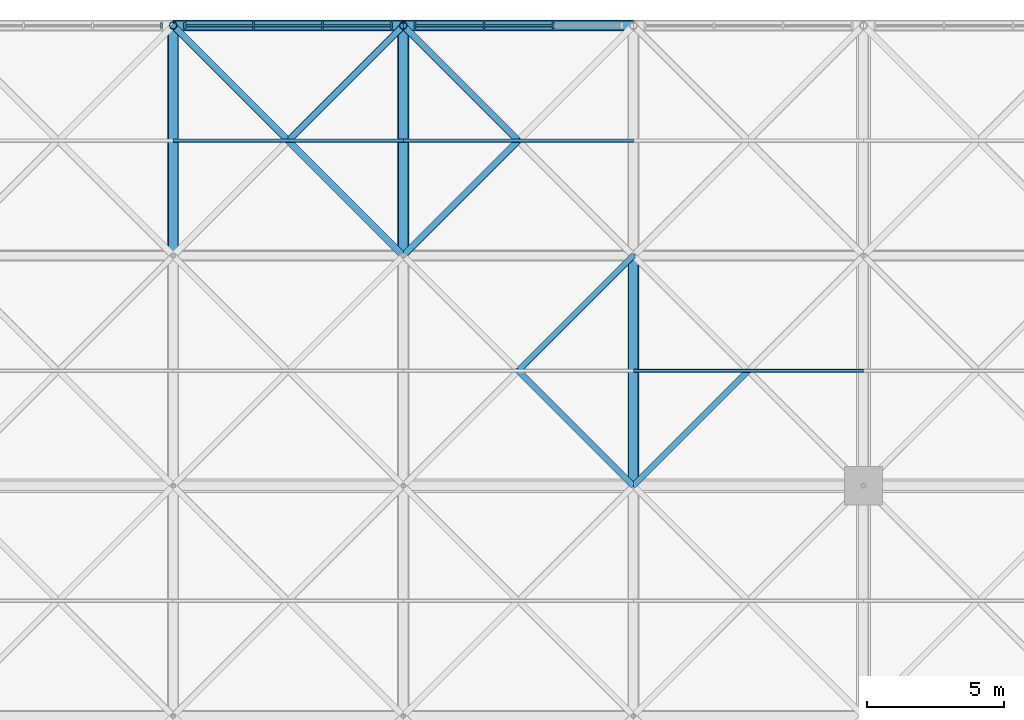
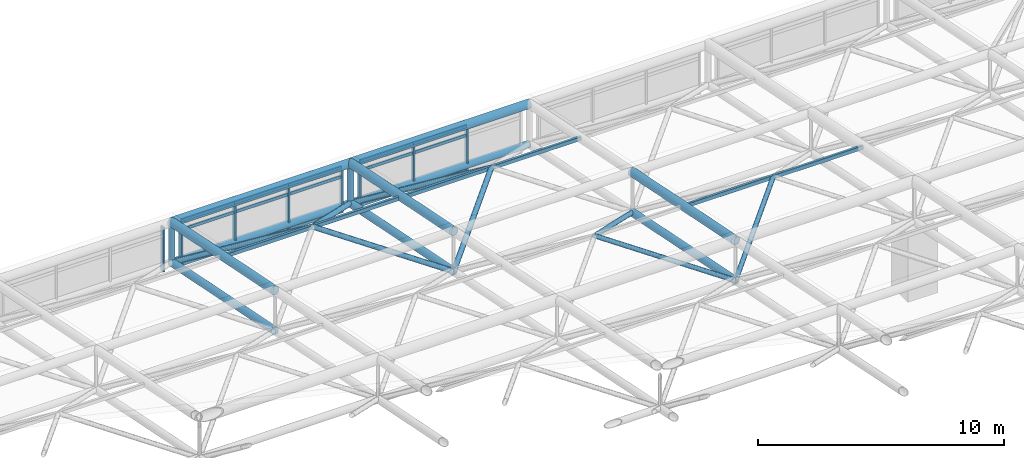
# One storey, part 52 of 81: 46 members, 3 elements without a shape of their own.
"""IFC4 building model written with IfcOpenShell, lengths in metres."""

from ifc_helpers import new_model, si_unit, direction, frame, origin, origin_2d, place, context, subcontext, project, spatial, rectangle, hollow_rectangle, hollow_circle, extrude, material, layer, layer_set, material_profile, profile_set, type_object, element, aggregate, save


model = new_model("IFC4")

# Units and contexts
model_context = context("Model", 3, precision=1e-05, world=origin(), true_north=direction((0.0, 1.0)))
body_context = subcontext(model_context, "Body", "Model", "MODEL_VIEW")
ifc_project = project(units=[si_unit("LENGTHUNIT", "METRE"), si_unit("AREAUNIT", "SQUARE_METRE"), si_unit("VOLUMEUNIT", "CUBIC_METRE"), si_unit("PLANEANGLEUNIT", "RADIAN"), si_unit("MASSUNIT", "GRAM", prefix="KILO")], contexts=[model_context])

# Site, building, storey
site_placement = place(None, origin())
site = spatial("IfcSite", under=ifc_project, at=site_placement, CompositionType="ELEMENT")
building_placement = place(site_placement, origin())
building = spatial("IfcBuilding", under=site, at=building_placement, Name="Qawsi Khor Wholesale Market", CompositionType="ELEMENT")
storey_placement = place(building_placement, frame((0.0, 0.0, 16.199951171875)))
storey = spatial("IfcBuildingStorey", under=building, at=storey_placement, Name="L03", CompositionType="ELEMENT", Elevation=16.199951171875)

# Curtain wall, member
ifc_material_1 = material(Name="Aluminium Anodised Bronze", Category="aluminium")
ifc_layer = layer(ifc_material_1, 0.199951171875, Name="Aluminium Anodised Bronze")
ifc_layer_set = layer_set([ifc_layer], Name="Aluminium Anodised Bronze")
curtain_wall_type = type_object("IfcCurtainWallType", Name="Trading Hall North-Light Curtain Wall CW-03", PredefinedType="NOTDEFINED", material=ifc_layer_set)
curtain_wall_1_placement = place(storey_placement, origin())
curtain_wall_1 = element("IfcCurtainWall", 1, at=curtain_wall_1_placement, inside=storey, type_object=curtain_wall_type, Name="Curtain wall CW-CW-03-L03-123", PredefinedType="NOTDEFINED")
ifc_material_profile_1 = material_profile(ifc_material_1, rectangle(XDim=0.074951171875, YDim=0.219970703125, at=origin_2d()), Name="ALU MULLION 75x220")
ifc_profile_set_1 = profile_set([ifc_material_profile_1], Name="Aluminium Anodised Bronze")
member_type_1 = type_object("IfcMemberType", Name="Curtain Wall Mullion CW-03 ALU MULLION 75x220", PredefinedType="MULLION", material=ifc_profile_set_1)
member_1_placement = place(storey_placement, frame((33.177490234375, 109.199951171875, -0.300048828125), z_axis=(0.0, 0.0, 1.0), x_axis=(1.0, 0.0, 0.0)))
member_1 = element("IfcMember", 2, at=member_1_placement, type_object=member_type_1, Name="Mullion CW-CW-03-L03-123-M03", PredefinedType="MULLION", context=body_context, shape_type="SweptSolid", body=[
    extrude(rectangle(XDim=0.074951171875, YDim=0.219970703125, at=origin_2d()), origin(), (0.0, 0.0, 1.0), 2.2001953125),
])
aggregate(curtain_wall_1, [member_1])

# Curtain wall, members
curtain_wall_2_placement = place(storey_placement, origin())
curtain_wall_2 = element("IfcCurtainWall", 3, at=curtain_wall_2_placement, inside=storey, type_object=curtain_wall_type, Name="Curtain wall CW-CW-03-L03-124", PredefinedType="NOTDEFINED")
member_2_placement = place(storey_placement, frame((34.0224609375, 109.199951171875, -0.300048828125), z_axis=(0.0, 0.0, 1.0), x_axis=(1.0, 0.0, 0.0)))
member_2 = element("IfcMember", 4, at=member_2_placement, type_object=member_type_1, Name="Mullion CW-CW-03-L03-124-M00", PredefinedType="MULLION", context=body_context, shape_type="SweptSolid", body=[
    extrude(rectangle(XDim=0.074951171875, YDim=0.219970703125, at=origin_2d()), origin(), (0.0, 0.0, 1.0), 2.2001953125),
])
member_3_placement = place(storey_placement, frame((36.540771484375, 109.199951171875, -0.300048828125), z_axis=(0.0, 0.0, 1.0), x_axis=(1.0, 0.0, 0.0)))
member_3 = element("IfcMember", 5, at=member_3_placement, type_object=member_type_1, Name="Mullion CW-CW-03-L03-124-M01", PredefinedType="MULLION", context=body_context, shape_type="SweptSolid", body=[
    extrude(rectangle(XDim=0.074951171875, YDim=0.219970703125, at=origin_2d()), origin(), (0.0, 0.0, 1.0), 2.2001953125),
])
member_4_placement = place(storey_placement, frame((39.05908203125, 109.199951171875, -0.300048828125), z_axis=(0.0, 0.0, 1.0), x_axis=(1.0, 0.0, 0.0)))
member_4 = element("IfcMember", 6, at=member_4_placement, type_object=member_type_1, Name="Mullion CW-CW-03-L03-124-M02", PredefinedType="MULLION", context=body_context, shape_type="SweptSolid", body=[
    extrude(rectangle(XDim=0.074951171875, YDim=0.219970703125, at=origin_2d()), origin(), (0.0, 0.0, 1.0), 2.2001953125),
])
member_5_placement = place(storey_placement, frame((41.577392578125, 109.199951171875, -0.300048828125), z_axis=(0.0, 0.0, 1.0), x_axis=(1.0, 0.0, 0.0)))
member_5 = element("IfcMember", 7, at=member_5_placement, type_object=member_type_1, Name="Mullion CW-CW-03-L03-124-M03", PredefinedType="MULLION", context=body_context, shape_type="SweptSolid", body=[
    extrude(rectangle(XDim=0.074951171875, YDim=0.219970703125, at=origin_2d()), origin(), (0.0, 0.0, 1.0), 2.2001953125),
])

curtain_wall_3_placement = place(storey_placement, origin())
curtain_wall_3 = element("IfcCurtainWall", 8, at=curtain_wall_3_placement, inside=storey, type_object=curtain_wall_type, Name="Curtain wall CW-CW-03-L03-125", PredefinedType="NOTDEFINED")
member_6_placement = place(storey_placement, frame((42.422607421875, 109.199951171875, -0.300048828125), z_axis=(0.0, 0.0, 1.0), x_axis=(1.0, 0.0, 0.0)))
member_6 = element("IfcMember", 9, at=member_6_placement, type_object=member_type_1, Name="Mullion CW-CW-03-L03-125-M00", PredefinedType="MULLION", context=body_context, shape_type="SweptSolid", body=[
    extrude(rectangle(XDim=0.074951171875, YDim=0.219970703125, at=origin_2d()), origin(), (0.0, 0.0, 1.0), 2.2001953125),
])
member_7_placement = place(storey_placement, frame((44.94091796875, 109.199951171875, -0.300048828125), z_axis=(0.0, 0.0, 1.0), x_axis=(1.0, 0.0, 0.0)))
member_7 = element("IfcMember", 10, at=member_7_placement, type_object=member_type_1, Name="Mullion CW-CW-03-L03-125-M01", PredefinedType="MULLION", context=body_context, shape_type="SweptSolid", body=[
    extrude(rectangle(XDim=0.074951171875, YDim=0.219970703125, at=origin_2d()), origin(), (0.0, 0.0, 1.0), 2.2001953125),
])
member_8_placement = place(storey_placement, frame((47.459228515625, 109.199951171875, -0.300048828125), z_axis=(0.0, 0.0, 1.0), x_axis=(1.0, 0.0, 0.0)))
member_8 = element("IfcMember", 11, at=member_8_placement, type_object=member_type_1, Name="Mullion CW-CW-03-L03-125-M02", PredefinedType="MULLION", context=body_context, shape_type="SweptSolid", body=[
    extrude(rectangle(XDim=0.074951171875, YDim=0.219970703125, at=origin_2d()), origin(), (0.0, 0.0, 1.0), 2.2001953125),
])

# Member
ifc_material_profile_2 = material_profile(ifc_material_1, rectangle(XDim=0.070068359375, YDim=0.14990234375, at=origin_2d()), Name="ALU TRANSOM 70x150")
ifc_profile_set_2 = profile_set([ifc_material_profile_2], Name="Aluminium Anodised Bronze")
member_type_2 = type_object("IfcMemberType", Name="Curtain Wall Transom CW-03 ALU TRANSOM 70x150", PredefinedType="USERDEFINED", material=ifc_profile_set_2)
member_9_placement = place(storey_placement, frame((34.0224609375, 109.199951171875, -0.280029296875), z_axis=(1.0, 0.0, 0.0), x_axis=(0.0, 1.0, 0.0)))
member_9 = element("IfcMember", 12, at=member_9_placement, type_object=member_type_2, Name="Transom CW-CW-03-L03-124-T0_00", ObjectType="TRANSOM", PredefinedType="USERDEFINED", context=body_context, shape_type="SweptSolid", body=[
    extrude(rectangle(XDim=0.070068359375, YDim=0.14990234375, at=origin_2d()), origin(), (0.0, 0.0, 1.0), 2.518310546875),
])

member_10_placement = place(storey_placement, frame((36.540771484375, 109.199951171875, -0.280029296875), z_axis=(1.0, 0.0, 0.0), x_axis=(0.0, 1.0, 0.0)))
member_10 = element("IfcMember", 13, at=member_10_placement, type_object=member_type_2, Name="Transom CW-CW-03-L03-124-T0_01", ObjectType="TRANSOM", PredefinedType="USERDEFINED", context=body_context, shape_type="SweptSolid", body=[
    extrude(rectangle(XDim=0.070068359375, YDim=0.14990234375, at=origin_2d()), origin(), (0.0, 0.0, 1.0), 2.518310546875),
])

member_11_placement = place(storey_placement, frame((39.05908203125, 109.199951171875, -0.280029296875), z_axis=(1.0, 0.0, 0.0), x_axis=(0.0, 1.0, 0.0)))
member_11 = element("IfcMember", 14, at=member_11_placement, type_object=member_type_2, Name="Transom CW-CW-03-L03-124-T0_02", ObjectType="TRANSOM", PredefinedType="USERDEFINED", context=body_context, shape_type="SweptSolid", body=[
    extrude(rectangle(XDim=0.070068359375, YDim=0.14990234375, at=origin_2d()), origin(), (0.0, 0.0, 1.0), 2.518310546875),
])

member_12_placement = place(storey_placement, frame((34.0224609375, 109.199951171875, 1.449951171875), z_axis=(1.0, 0.0, 0.0), x_axis=(0.0, 1.0, 0.0)))
member_12 = element("IfcMember", 15, at=member_12_placement, type_object=member_type_2, Name="Transom CW-CW-03-L03-124-T1_00", ObjectType="TRANSOM", PredefinedType="USERDEFINED", context=body_context, shape_type="SweptSolid", body=[
    extrude(rectangle(XDim=0.070068359375, YDim=0.14990234375, at=origin_2d()), origin(), (0.0, 0.0, 1.0), 2.518310546875),
])

member_13_placement = place(storey_placement, frame((36.540771484375, 109.199951171875, 1.449951171875), z_axis=(1.0, 0.0, 0.0), x_axis=(0.0, 1.0, 0.0)))
member_13 = element("IfcMember", 16, at=member_13_placement, type_object=member_type_2, Name="Transom CW-CW-03-L03-124-T1_01", ObjectType="TRANSOM", PredefinedType="USERDEFINED", context=body_context, shape_type="SweptSolid", body=[
    extrude(rectangle(XDim=0.070068359375, YDim=0.14990234375, at=origin_2d()), origin(), (0.0, 0.0, 1.0), 2.518310546875),
])

member_14_placement = place(storey_placement, frame((39.05908203125, 109.199951171875, 1.449951171875), z_axis=(1.0, 0.0, 0.0), x_axis=(0.0, 1.0, 0.0)))
member_14 = element("IfcMember", 17, at=member_14_placement, type_object=member_type_2, Name="Transom CW-CW-03-L03-124-T1_02", ObjectType="TRANSOM", PredefinedType="USERDEFINED", context=body_context, shape_type="SweptSolid", body=[
    extrude(rectangle(XDim=0.070068359375, YDim=0.14990234375, at=origin_2d()), origin(), (0.0, 0.0, 1.0), 2.518310546875),
])

member_15_placement = place(storey_placement, frame((34.0224609375, 109.199951171875, 1.900146484375), z_axis=(1.0, 0.0, 0.0), x_axis=(0.0, 1.0, 0.0)))
member_15 = element("IfcMember", 18, at=member_15_placement, type_object=member_type_2, Name="Transom CW-CW-03-L03-124-T2_00", ObjectType="TRANSOM", PredefinedType="USERDEFINED", context=body_context, shape_type="SweptSolid", body=[
    extrude(rectangle(XDim=0.070068359375, YDim=0.14990234375, at=origin_2d()), origin(), (0.0, 0.0, 1.0), 2.518310546875),
])

member_16_placement = place(storey_placement, frame((36.540771484375, 109.199951171875, 1.900146484375), z_axis=(1.0, 0.0, 0.0), x_axis=(0.0, 1.0, 0.0)))
member_16 = element("IfcMember", 19, at=member_16_placement, type_object=member_type_2, Name="Transom CW-CW-03-L03-124-T2_01", ObjectType="TRANSOM", PredefinedType="USERDEFINED", context=body_context, shape_type="SweptSolid", body=[
    extrude(rectangle(XDim=0.070068359375, YDim=0.14990234375, at=origin_2d()), origin(), (0.0, 0.0, 1.0), 2.518310546875),
])

member_17_placement = place(storey_placement, frame((39.05908203125, 109.199951171875, 1.900146484375), z_axis=(1.0, 0.0, 0.0), x_axis=(0.0, 1.0, 0.0)))
member_17 = element("IfcMember", 20, at=member_17_placement, type_object=member_type_2, Name="Transom CW-CW-03-L03-124-T2_02", ObjectType="TRANSOM", PredefinedType="USERDEFINED", context=body_context, shape_type="SweptSolid", body=[
    extrude(rectangle(XDim=0.070068359375, YDim=0.14990234375, at=origin_2d()), origin(), (0.0, 0.0, 1.0), 2.518310546875),
])

aggregate(curtain_wall_2, [member_2, member_3, member_4, member_5, member_9, member_10, member_11, member_12, member_13, member_14, member_15, member_16, member_17])

member_18_placement = place(storey_placement, frame((42.422607421875, 109.199951171875, -0.280029296875), z_axis=(1.0, 0.0, 0.0), x_axis=(0.0, 1.0, 0.0)))
member_18 = element("IfcMember", 21, at=member_18_placement, type_object=member_type_2, Name="Transom CW-CW-03-L03-125-T0_00", ObjectType="TRANSOM", PredefinedType="USERDEFINED", context=body_context, shape_type="SweptSolid", body=[
    extrude(rectangle(XDim=0.070068359375, YDim=0.14990234375, at=origin_2d()), origin(), (0.0, 0.0, 1.0), 2.518310546875),
])

member_19_placement = place(storey_placement, frame((44.94091796875, 109.199951171875, -0.280029296875), z_axis=(1.0, 0.0, 0.0), x_axis=(0.0, 1.0, 0.0)))
member_19 = element("IfcMember", 22, at=member_19_placement, type_object=member_type_2, Name="Transom CW-CW-03-L03-125-T0_01", ObjectType="TRANSOM", PredefinedType="USERDEFINED", context=body_context, shape_type="SweptSolid", body=[
    extrude(rectangle(XDim=0.070068359375, YDim=0.14990234375, at=origin_2d()), origin(), (0.0, 0.0, 1.0), 2.518310546875),
])

member_20_placement = place(storey_placement, frame((42.422607421875, 109.199951171875, 1.449951171875), z_axis=(1.0, 0.0, 0.0), x_axis=(0.0, 1.0, 0.0)))
member_20 = element("IfcMember", 23, at=member_20_placement, type_object=member_type_2, Name="Transom CW-CW-03-L03-125-T1_00", ObjectType="TRANSOM", PredefinedType="USERDEFINED", context=body_context, shape_type="SweptSolid", body=[
    extrude(rectangle(XDim=0.070068359375, YDim=0.14990234375, at=origin_2d()), origin(), (0.0, 0.0, 1.0), 2.518310546875),
])

member_21_placement = place(storey_placement, frame((44.94091796875, 109.199951171875, 1.449951171875), z_axis=(1.0, 0.0, 0.0), x_axis=(0.0, 1.0, 0.0)))
member_21 = element("IfcMember", 24, at=member_21_placement, type_object=member_type_2, Name="Transom CW-CW-03-L03-125-T1_01", ObjectType="TRANSOM", PredefinedType="USERDEFINED", context=body_context, shape_type="SweptSolid", body=[
    extrude(rectangle(XDim=0.070068359375, YDim=0.14990234375, at=origin_2d()), origin(), (0.0, 0.0, 1.0), 2.518310546875),
])

member_22_placement = place(storey_placement, frame((42.422607421875, 109.199951171875, 1.900146484375), z_axis=(1.0, 0.0, 0.0), x_axis=(0.0, 1.0, 0.0)))
member_22 = element("IfcMember", 25, at=member_22_placement, type_object=member_type_2, Name="Transom CW-CW-03-L03-125-T2_00", ObjectType="TRANSOM", PredefinedType="USERDEFINED", context=body_context, shape_type="SweptSolid", body=[
    extrude(rectangle(XDim=0.070068359375, YDim=0.14990234375, at=origin_2d()), origin(), (0.0, 0.0, 1.0), 2.518310546875),
])

member_23_placement = place(storey_placement, frame((44.94091796875, 109.199951171875, 1.900146484375), z_axis=(1.0, 0.0, 0.0), x_axis=(0.0, 1.0, 0.0)))
member_23 = element("IfcMember", 26, at=member_23_placement, type_object=member_type_2, Name="Transom CW-CW-03-L03-125-T2_01", ObjectType="TRANSOM", PredefinedType="USERDEFINED", context=body_context, shape_type="SweptSolid", body=[
    extrude(rectangle(XDim=0.070068359375, YDim=0.14990234375, at=origin_2d()), origin(), (0.0, 0.0, 1.0), 2.518310546875),
])

aggregate(curtain_wall_3, [member_6, member_7, member_8, member_18, member_19, member_20, member_21, member_22, member_23])

# Members
ifc_material_2 = material(Name="Steel S355", Category="steel")
ifc_material_profile_3 = material_profile(ifc_material_2, hollow_circle(Radius=0.177734375, WallThickness=0.01611328125, at=origin_2d()), Name="CHS 355.6x16.0")
ifc_profile_set_3 = profile_set([ifc_material_profile_3], Name="Steel S355")
member_type_3 = type_object("IfcMemberType", Name="Space-Frame Bottom Chord CHS 355.6x16.0", PredefinedType="CHORD", material=ifc_profile_set_3)
for number, where, z_axis, x_axis, name in (
    (27, (33.60009765625, 100.800048828125, 1.670166015625), (0.0, 0.9801244518, -0.198383615716), (-1.0, 0.0, 0.0), "Space frame bottom chord Y WH (4,12)"),
    (28, (42.0, 100.800048828125, 1.670166015625), (0.0, 0.9801244518, -0.198383615716), (-1.0, 0.0, 0.0), "Space frame bottom chord Y WH (5,12)"),
    (29, (50.39990234375, 92.39990234375, 3.3701171875), (0.0, 0.98013111127, -0.198350711418), (-1.0, 0.0, 0.0), "Space frame bottom chord Y WH (6,11)"),
):
    element("IfcMember", number, at=place(storey_placement, frame(where, z_axis=z_axis, x_axis=x_axis)), inside=storey, type_object=member_type_3, Name=name, PredefinedType="CHORD", context=body_context, shape_type="SweptSolid", body=[
        extrude(hollow_circle(Radius=0.177734375, WallThickness=0.01611328125, at=origin_2d()), origin(), (0.0, 0.0, 1.0), 8.5703125),
    ])
ifc_material_profile_4 = material_profile(ifc_material_2, hollow_circle(Radius=0.136474609375, WallThickness=0.012451171875, at=origin_2d()), Name="CHS 273.0x12.5")
ifc_profile_set_4 = profile_set([ifc_material_profile_4], Name="Steel S355")
member_type_4 = type_object("IfcMemberType", Name="Space-Frame Edge Post CHS 273.0x12.5", PredefinedType="POST", material=ifc_profile_set_4)
for number, where, z_axis, x_axis, name in (
    (30, (33.60009765625, 109.199951171875, -0.030029296875), (0.0, 0.0, 1.0), (1.0, 0.0, 0.0), "Space frame post WH (4,13)"),
    (31, (42.0, 109.199951171875, -0.030029296875), (0.0, 0.0, 1.0), (1.0, 0.0, 0.0), "Space frame post WH (5,13)"),
):
    element("IfcMember", number, at=place(storey_placement, frame(where, z_axis=z_axis, x_axis=x_axis)), inside=storey, type_object=member_type_4, Name=name, PredefinedType="POST", context=body_context, shape_type="SweptSolid", body=[
        extrude(hollow_circle(Radius=0.136474609375, WallThickness=0.012451171875, at=origin_2d()), origin(), (0.0, 0.0, 1.0), 2.0),
    ])
ifc_material_profile_5 = material_profile(ifc_material_2, hollow_circle(Radius=0.122314453125, WallThickness=0.012451171875, at=origin_2d()), Name="CHS 244.5x12.5")
ifc_profile_set_5 = profile_set([ifc_material_profile_5], Name="Steel S355")
member_type_5 = type_object("IfcMemberType", Name="Space-Frame Heavy Diagonal CHS 244.5x12.5", PredefinedType="POST", material=ifc_profile_set_5)
member_24_placement = place(storey_placement, frame((42.0, 100.800048828125, 1.670166015625), z_axis=(-0.694216714393, 0.694216714393, 0.190069216113), x_axis=(-0.707106781187, -0.707106781187, 0.0)))
element("IfcMember", 32, at=member_24_placement, inside=storey, type_object=member_type_5, Name="Space frame diagonal WH (4,12)-2", PredefinedType="POST", context=body_context, shape_type="SweptSolid", body=[
    extrude(hollow_circle(Radius=0.122314453125, WallThickness=0.012451171875, at=origin_2d()), origin(), (0.0, 0.0, 1.0), 6.0498046875),
])
for number, where, z_axis, x_axis, name in (
    (33, (42.0, 109.199951171875, -0.030029296875), (-0.637511741089, -0.637511741089, 0.432617105474), (0.707106781187, -0.707106781187, 0.0), "Space frame diagonal WH (4,12)-3"),
    (34, (33.60009765625, 109.199951171875, -0.030029296875), (0.637511741089, -0.637511741089, 0.432617105474), (0.707106781187, 0.707106781187, 0.0), "Space frame diagonal WH (4,12)-4"),
):
    element("IfcMember", number, at=place(storey_placement, frame(where, z_axis=z_axis, x_axis=x_axis)), inside=storey, type_object=member_type_5, Name=name, PredefinedType="POST", context=body_context, shape_type="SweptSolid", body=[
        extrude(hollow_circle(Radius=0.122314453125, WallThickness=0.012451171875, at=origin_2d()), origin(), (0.0, 0.0, 1.0), 6.588134765625),
    ])
member_25_placement = place(storey_placement, frame((42.0, 100.800048828125, 1.670166015625), z_axis=(0.694216714393, 0.694216714393, 0.190069216113), x_axis=(-0.707106781187, 0.707106781187, 0.0)))
element("IfcMember", 35, at=member_25_placement, inside=storey, type_object=member_type_5, Name="Space frame diagonal WH (5,12)-1", PredefinedType="POST", context=body_context, shape_type="SweptSolid", body=[
    extrude(hollow_circle(Radius=0.122314453125, WallThickness=0.012451171875, at=origin_2d()), origin(), (0.0, 0.0, 1.0), 6.0498046875),
])
member_26_placement = place(storey_placement, frame((42.0, 109.199951171875, -0.030029296875), z_axis=(0.637511741089, -0.637511741089, 0.432617105474), x_axis=(0.707106781187, 0.707106781187, 0.0)))
element("IfcMember", 36, at=member_26_placement, inside=storey, type_object=member_type_5, Name="Space frame diagonal WH (5,12)-4", PredefinedType="POST", context=body_context, shape_type="SweptSolid", body=[
    extrude(hollow_circle(Radius=0.122314453125, WallThickness=0.012451171875, at=origin_2d()), origin(), (0.0, 0.0, 1.0), 6.588134765625),
])
ifc_material_profile_6 = material_profile(ifc_material_2, hollow_rectangle(XDim=0.1201171875, YDim=0.199951171875, WallThickness=0.008056640625, InnerFilletRadius=0.008056640625, OuterFilletRadius=0.01611328125, at=origin_2d()), Name="RHS 200x120x8.0")
ifc_profile_set_6 = profile_set([ifc_material_profile_6], Name="Steel S355")
member_type_6 = type_object("IfcMemberType", Name="Space-Frame Heavy Purlin RHS 200x120x8.0", PredefinedType="PURLIN", material=ifc_profile_set_6)
for number, where, z_axis, x_axis, name in (
    (37, (33.60009765625, 105.0, 2.820068359375), (1.0, 0.0, 0.0), (0.0, 1.0, 0.0), "Space frame purlin WH (4,12)"),
    (38, (42.0, 105.0, 2.820068359375), (1.0, 0.0, 0.0), (0.0, 1.0, 0.0), "Space frame purlin WH (5,12)"),
):
    element("IfcMember", number, at=place(storey_placement, frame(where, z_axis=z_axis, x_axis=x_axis)), inside=storey, type_object=member_type_6, Name=name, PredefinedType="PURLIN", context=body_context, shape_type="SweptSolid", body=[
        extrude(hollow_rectangle(XDim=0.1201171875, YDim=0.199951171875, WallThickness=0.008056640625, InnerFilletRadius=0.008056640625, OuterFilletRadius=0.01611328125, at=origin_2d()), origin(), (0.0, 0.0, 1.0), 8.39990234375),
    ])
member_27_placement = place(storey_placement, frame((50.39990234375, 96.60009765625, 4.52001953125), z_axis=(1.0, 0.0, 0.0), x_axis=(0.0, 1.0, 0.0)))
element("IfcMember", 39, at=member_27_placement, inside=storey, type_object=member_type_6, Name="Space frame purlin WH (6,11)", PredefinedType="PURLIN", context=body_context, shape_type="SweptSolid", body=[
    extrude(hollow_rectangle(XDim=0.1201171875, YDim=0.199951171875, WallThickness=0.008056640625, InnerFilletRadius=0.008056640625, OuterFilletRadius=0.01611328125, at=origin_2d()), origin(), (0.0, 0.0, 1.0), 8.400146484375),
])
ifc_material_profile_7 = material_profile(ifc_material_2, hollow_circle(Radius=0.109619140625, WallThickness=0.010009765625, at=origin_2d()), Name="CHS 219.1x10.0")
ifc_profile_set_7 = profile_set([ifc_material_profile_7], Name="Steel S355")
member_type_7 = type_object("IfcMemberType", Name="Space-Frame Inner Diagonal CHS 219.1x10.0", PredefinedType="RAFTER", material=ifc_profile_set_7)
member_28_placement = place(storey_placement, frame((50.39990234375, 92.39990234375, 3.3701171875), z_axis=(-0.694197266374, 0.694237619642, 0.19006389145), x_axis=(-0.707127332136, -0.70708622964, 0.0)))
element("IfcMember", 40, at=member_28_placement, inside=storey, type_object=member_type_7, Name="Space frame diagonal WH (5,11)-2", PredefinedType="RAFTER", context=body_context, shape_type="SweptSolid", body=[
    extrude(hollow_circle(Radius=0.109619140625, WallThickness=0.010009765625, at=origin_2d()), origin(), (0.0, 0.0, 1.0), 6.050048828125),
])
member_29_placement = place(storey_placement, frame((50.39990234375, 100.800048828125, 1.670166015625), z_axis=(-0.637521961484, -0.637521961484, 0.432586982294), x_axis=(0.707106781187, -0.707106781187, 0.0)))
element("IfcMember", 41, at=member_29_placement, inside=storey, type_object=member_type_7, Name="Space frame diagonal WH (5,11)-3", PredefinedType="RAFTER", context=body_context, shape_type="SweptSolid", body=[
    extrude(hollow_circle(Radius=0.109619140625, WallThickness=0.010009765625, at=origin_2d()), origin(), (0.0, 0.0, 1.0), 6.587890625),
])
member_30_placement = place(storey_placement, frame((50.39990234375, 92.39990234375, 3.3701171875), z_axis=(0.694218172126, 0.694218172126, 0.190058567235), x_axis=(-0.707106781187, 0.707106781187, 0.0)))
element("IfcMember", 42, at=member_30_placement, inside=storey, type_object=member_type_7, Name="Space frame diagonal WH (6,11)-1", PredefinedType="RAFTER", context=body_context, shape_type="SweptSolid", body=[
    extrude(hollow_circle(Radius=0.109619140625, WallThickness=0.010009765625, at=origin_2d()), origin(), (0.0, 0.0, 1.0), 6.05029296875),
])
ifc_material_profile_8 = material_profile(ifc_material_2, hollow_circle(Radius=0.161865234375, WallThickness=0.01611328125, at=origin_2d()), Name="CHS 323.9x16.0")
ifc_profile_set_8 = profile_set([ifc_material_profile_8], Name="Steel S355")
member_type_8 = type_object("IfcMemberType", Name="Space-Frame Secondary Chord CHS 323.9x16.0", PredefinedType="CHORD", material=ifc_profile_set_8)
for number, where, z_axis, x_axis, name in (
    (43, (33.60009765625, 109.199951171875, -0.030029296875), (1.0, 0.0, 0.0), (0.0, 1.0, 0.0), "Space frame bottom chord X WH (4,13)"),
    (44, (42.0, 109.199951171875, -0.030029296875), (1.0, 0.0, 0.0), (0.0, 1.0, 0.0), "Space frame bottom chord X WH (5,13)"),
):
    element("IfcMember", number, at=place(storey_placement, frame(where, z_axis=z_axis, x_axis=x_axis)), inside=storey, type_object=member_type_8, Name=name, PredefinedType="CHORD", context=body_context, shape_type="SweptSolid", body=[
        extrude(hollow_circle(Radius=0.161865234375, WallThickness=0.01611328125, at=origin_2d()), origin(), (0.0, 0.0, 1.0), 8.39990234375),
    ])
ifc_material_profile_9 = material_profile(ifc_material_2, hollow_circle(Radius=0.203125, WallThickness=0.02001953125, at=origin_2d()), Name="CHS 406.4x20.0")
ifc_profile_set_9 = profile_set([ifc_material_profile_9], Name="Steel S355")
member_type_9 = type_object("IfcMemberType", Name="Space-Frame Top Chord CHS 406.4x20.0", PredefinedType="CHORD", material=ifc_profile_set_9)
member_31_placement = place(storey_placement, frame((33.60009765625, 100.800048828125, 3.670166015625), z_axis=(0.0, 0.9801244518, -0.198383615716), x_axis=(-1.0, 0.0, 0.0)))
element("IfcMember", 45, at=member_31_placement, inside=storey, type_object=member_type_9, Name="Space frame top chord Y WH (4,12)", PredefinedType="CHORD", context=body_context, shape_type="SweptSolid", body=[
    extrude(hollow_circle(Radius=0.203125, WallThickness=0.02001953125, at=origin_2d()), origin(), (0.0, 0.0, 1.0), 8.5703125),
])
member_32_placement = place(storey_placement, frame((33.60009765625, 109.199951171875, 1.969970703125), z_axis=(1.0, 0.0, 0.0), x_axis=(0.0, 1.0, 0.0)))
element("IfcMember", 46, at=member_32_placement, inside=storey, type_object=member_type_9, Name="Space frame top chord X WH (4,13)", PredefinedType="CHORD", context=body_context, shape_type="SweptSolid", body=[
    extrude(hollow_circle(Radius=0.203125, WallThickness=0.02001953125, at=origin_2d()), origin(), (0.0, 0.0, 1.0), 8.39990234375),
])
member_33_placement = place(storey_placement, frame((42.0, 100.800048828125, 3.670166015625), z_axis=(0.0, 0.9801244518, -0.198383615716), x_axis=(-1.0, 0.0, 0.0)))
element("IfcMember", 47, at=member_33_placement, inside=storey, type_object=member_type_9, Name="Space frame top chord Y WH (5,12)", PredefinedType="CHORD", context=body_context, shape_type="SweptSolid", body=[
    extrude(hollow_circle(Radius=0.203125, WallThickness=0.02001953125, at=origin_2d()), origin(), (0.0, 0.0, 1.0), 8.5703125),
])
member_34_placement = place(storey_placement, frame((42.0, 109.199951171875, 1.969970703125), z_axis=(1.0, 0.0, 0.0), x_axis=(0.0, 1.0, 0.0)))
element("IfcMember", 48, at=member_34_placement, inside=storey, type_object=member_type_9, Name="Space frame top chord X WH (5,13)", PredefinedType="CHORD", context=body_context, shape_type="SweptSolid", body=[
    extrude(hollow_circle(Radius=0.203125, WallThickness=0.02001953125, at=origin_2d()), origin(), (0.0, 0.0, 1.0), 8.39990234375),
])
member_35_placement = place(storey_placement, frame((50.39990234375, 92.39990234375, 5.3701171875), z_axis=(0.0, 0.98013111127, -0.198350711418), x_axis=(-1.0, 0.0, 0.0)))
element("IfcMember", 49, at=member_35_placement, inside=storey, type_object=member_type_9, Name="Space frame top chord Y WH (6,11)", PredefinedType="CHORD", context=body_context, shape_type="SweptSolid", body=[
    extrude(hollow_circle(Radius=0.203125, WallThickness=0.02001953125, at=origin_2d()), origin(), (0.0, 0.0, 1.0), 8.5703125),
])

save(model, "model.ifc")
